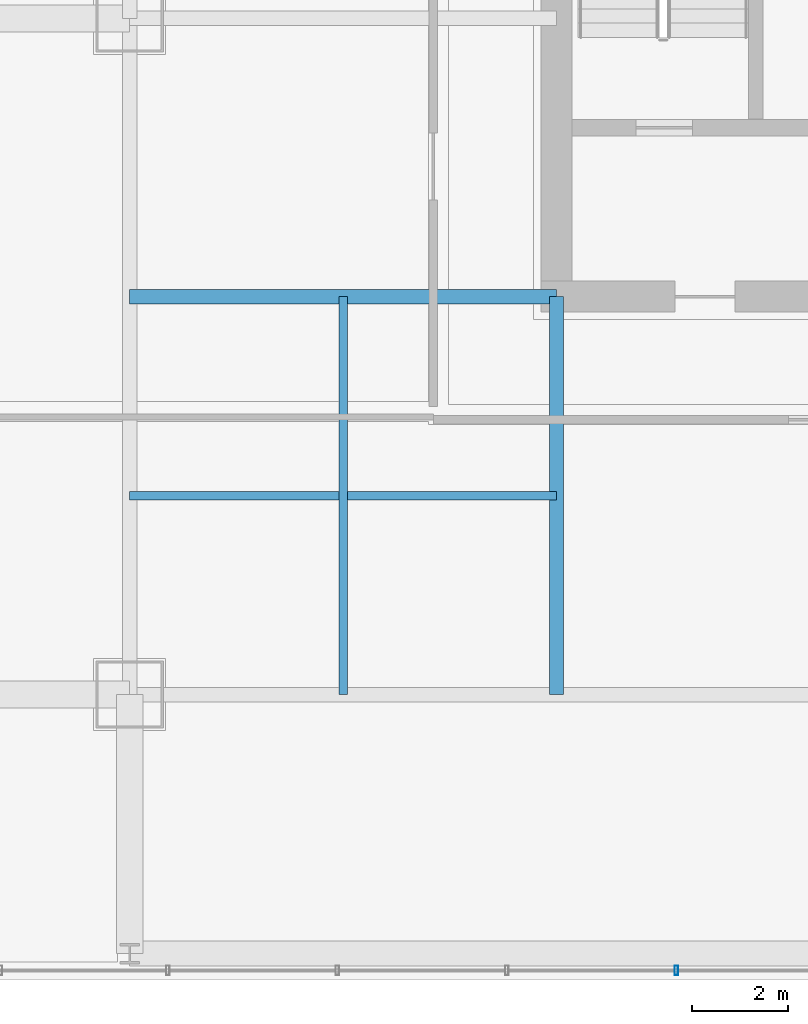
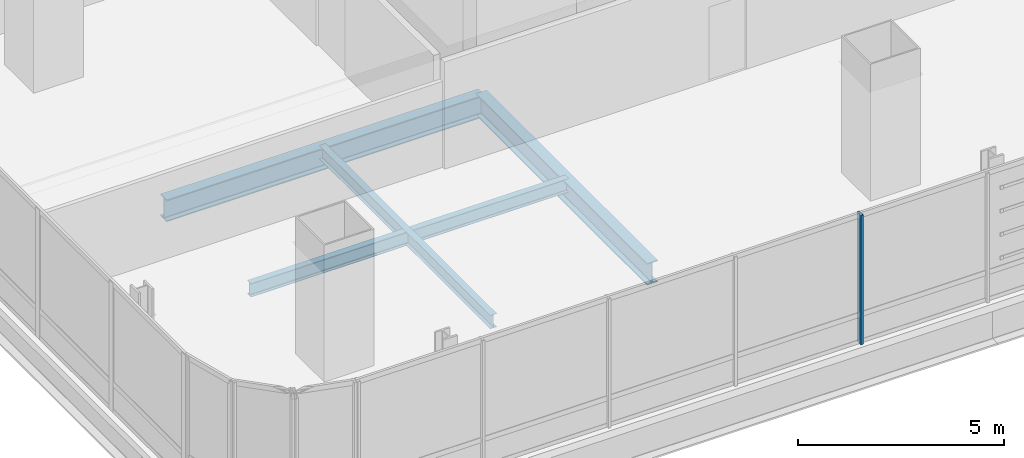
# One storey, part 5 of 36: 4 beams, 1 member, 1 element without a shape of its own.
"""IFC4 building model written with IfcOpenShell, lengths in metres."""

from ifc_helpers import new_model, si_unit, direction, frame, origin, origin_2d, place, context, subcontext, project, spatial, hollow_rectangle, i_section, extrude, material, material_profile, profile_set, type_object, element, aggregate, save


model = new_model("IFC4")

# Units and contexts
model_context = context("Model", 3, precision=1e-05, world=origin(), true_north=direction((0.0, 1.0)))
body_context = subcontext(model_context, "Body", "Model", "MODEL_VIEW")
ifc_project = project(units=[si_unit("LENGTHUNIT", "METRE"), si_unit("AREAUNIT", "SQUARE_METRE"), si_unit("VOLUMEUNIT", "CUBIC_METRE"), si_unit("PLANEANGLEUNIT", "RADIAN"), si_unit("MASSUNIT", "GRAM", prefix="KILO")], contexts=[model_context])

# Site, building, storey
site_placement = place(None, origin())
site = spatial("IfcSite", under=ifc_project, at=site_placement, CompositionType="ELEMENT")
building_placement = place(site_placement, origin())
building = spatial("IfcBuilding", under=site, at=building_placement, Name="Punatoya Terracotta Tower", CompositionType="ELEMENT")
storey_placement = place(building_placement, frame((0.0, 0.0, 176.25)))
storey = spatial("IfcBuildingStorey", under=building, at=storey_placement, Name="L41", CompositionType="ELEMENT", Elevation=176.25)

# Beams
ifc_material_1 = material(Name="Steel S355", Category="steel")
ifc_material_profile_1 = material_profile(ifc_material_1, i_section(OverallWidth=0.300048828125, OverallDepth=0.64990234375, WebThickness=0.01611328125, FlangeThickness=0.031005859375, FilletRadius=0.01806640625, at=origin_2d()))
ifc_profile_set_1 = profile_set([ifc_material_profile_1], Name="Steel S355")
beam_type_1 = type_object("IfcBeamType", Name="BM-PRI-650", PredefinedType="BEAM", material=ifc_profile_set_1)
beam_1_placement = place(storey_placement, frame((-19.10009765625, -9.199951171875, -0.544921875), z_axis=(1.0, 0.0, 0.0), x_axis=(0.0, 1.0, 0.0)))
element("IfcBeam", 1, at=beam_1_placement, inside=storey, type_object=beam_type_1, Name="BM-L41-PR-WS", PredefinedType="BEAM", context=body_context, shape_type="SweptSolid", body=[
    extrude(i_section(OverallWidth=0.300048828125, OverallDepth=0.64990234375, WebThickness=0.01611328125, FlangeThickness=0.031005859375, FilletRadius=0.01806640625, at=origin_2d()), origin(), (0.0, 0.0, 1.0), 8.900146484375),
])
beam_2_placement = place(storey_placement, frame((-10.199951171875, -17.5, -0.544921875), z_axis=(0.0, 1.0, 0.0), x_axis=(-1.0, 0.0, 0.0)))
element("IfcBeam", 2, at=beam_2_placement, inside=storey, type_object=beam_type_1, Name="BM-L41-PR-S1", PredefinedType="BEAM", context=body_context, shape_type="SweptSolid", body=[
    extrude(i_section(OverallWidth=0.300048828125, OverallDepth=0.64990234375, WebThickness=0.01611328125, FlangeThickness=0.031005859375, FilletRadius=0.01806640625, at=origin_2d()), origin(), (0.0, 0.0, 1.0), 8.300048828125),
])
ifc_material_profile_2 = material_profile(ifc_material_1, i_section(OverallWidth=0.179931640625, OverallDepth=0.39990234375, WebThickness=0.008544921875, FlangeThickness=0.013427734375, FilletRadius=0.01806640625, at=origin_2d()))
ifc_profile_set_2 = profile_set([ifc_material_profile_2], Name="Steel S355")
beam_type_2 = type_object("IfcBeamType", Name="BM-SEC-400", PredefinedType="JOIST", material=ifc_profile_set_2)
beam_3_placement = place(storey_placement, frame((-19.10009765625, -13.35009765625, -0.419921875), z_axis=(1.0, 0.0, 0.0), x_axis=(0.0, 1.0, 0.0)))
element("IfcBeam", 3, at=beam_3_placement, inside=storey, type_object=beam_type_2, Name="BM-L41-SJS-1", PredefinedType="JOIST", context=body_context, shape_type="SweptSolid", body=[
    extrude(i_section(OverallWidth=0.179931640625, OverallDepth=0.39990234375, WebThickness=0.008544921875, FlangeThickness=0.013427734375, FilletRadius=0.01806640625, at=origin_2d()), origin(), (0.0, 0.0, 1.0), 8.900146484375),
])
beam_4_placement = place(storey_placement, frame((-14.64990234375, -17.5, -0.419921875), z_axis=(0.0, 1.0, 0.0), x_axis=(-1.0, 0.0, 0.0)))
element("IfcBeam", 4, at=beam_4_placement, inside=storey, type_object=beam_type_2, Name="BM-L41-SJW-1", PredefinedType="JOIST", context=body_context, shape_type="SweptSolid", body=[
    extrude(i_section(OverallWidth=0.179931640625, OverallDepth=0.39990234375, WebThickness=0.008544921875, FlangeThickness=0.013427734375, FilletRadius=0.01806640625, at=origin_2d()), origin(), (0.0, 0.0, 1.0), 8.300048828125),
])

# Curtain wall, member
ifc_material_2 = material(Name="Aluminium 6063-T6 + Double Low-E Glass", Category="aluminium")
curtain_wall_type = type_object("IfcCurtainWallType", Name="CW-M2", PredefinedType="NOTDEFINED", material=ifc_material_2)
curtain_wall_placement = place(storey_placement, origin())
curtain_wall = element("IfcCurtainWall", 5, at=curtain_wall_placement, inside=storey, type_object=curtain_wall_type, Name="L41 Curtain Wall CW-L41-S01-1", PredefinedType="NOTDEFINED")
ifc_material_3 = material(Name="Aluminium 6063-T6", Category="aluminium")
ifc_material_profile_3 = material_profile(ifc_material_3, hollow_rectangle(XDim=0.072021484375, YDim=0.195068359375, WallThickness=0.00439453125, at=origin_2d()))
ifc_profile_set_3 = profile_set([ifc_material_profile_3], Name="Aluminium 6063-T6")
member_type = type_object("IfcMemberType", Name="CW-MUL-M2", PredefinedType="MULLION", material=ifc_profile_set_3)
member_placement = place(storey_placement, frame((-7.700927734375, -23.25, 0.0), z_axis=(0.0, 0.0, 1.0), x_axis=(1.0, 0.0, 0.0)))
member = element("IfcMember", 6, at=member_placement, type_object=member_type, Name="CW-L41-S01-1 Mullion 04", PredefinedType="MULLION", context=body_context, shape_type="SweptSolid", body=[
    extrude(hollow_rectangle(XDim=0.072021484375, YDim=0.195068359375, WallThickness=0.00439453125, at=origin_2d()), origin(), (0.0, 0.0, 1.0), 3.830078125),
])
aggregate(curtain_wall, [member])

save(model, "model.ifc")
